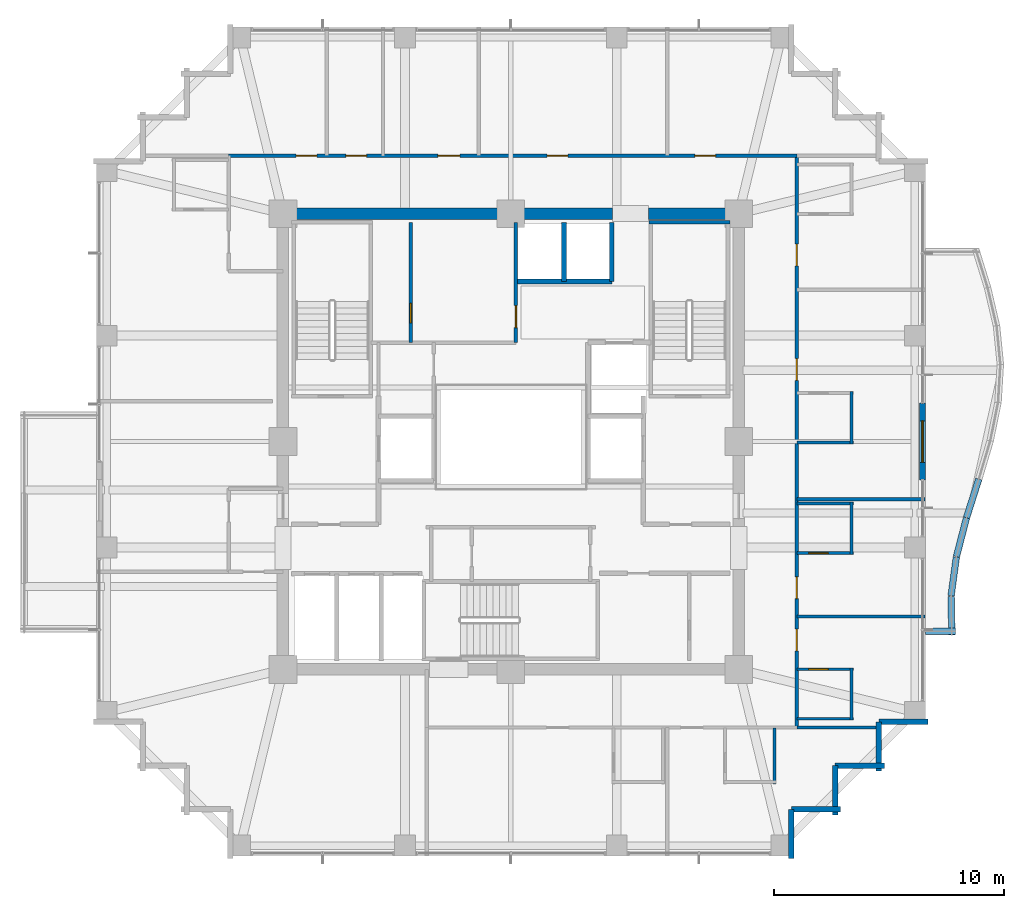
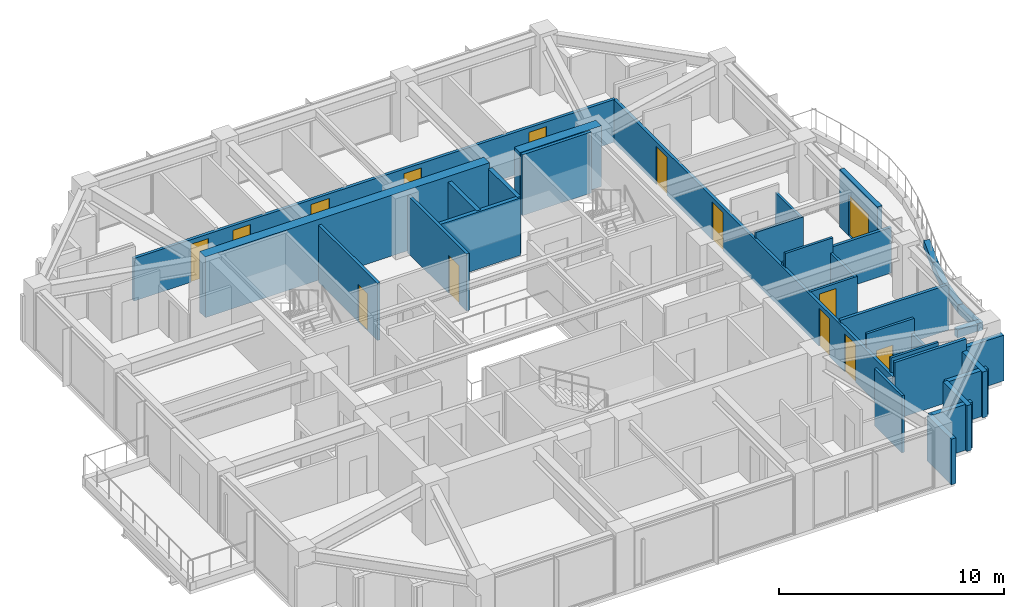
# One storey, part 29 of 32: 34 walls, 14 doors, 14 openings.
"""IFC4 building model written with IfcOpenShell, lengths in metres."""

from ifc_helpers import new_model, si_unit, direction, frame, frame_2d, origin, place, context, subcontext, project, spatial, rectangle, extrude, material, layer, layer_set, type_object, element, fill, save


model = new_model("IFC4")

# Units and contexts
model_context = context("Model", 3, precision=1e-05, world=origin(), true_north=direction((0.0, 1.0)))
body_context = subcontext(model_context, "Body", "Model", "MODEL_VIEW")
ifc_project = project(units=[si_unit("LENGTHUNIT", "METRE"), si_unit("AREAUNIT", "SQUARE_METRE"), si_unit("VOLUMEUNIT", "CUBIC_METRE"), si_unit("PLANEANGLEUNIT", "RADIAN"), si_unit("MASSUNIT", "GRAM", prefix="KILO")], contexts=[model_context])

# Site, building, storey
site_placement = place(None, origin())
site = spatial("IfcSite", under=ifc_project, at=site_placement, CompositionType="ELEMENT")
building_placement = place(site_placement, origin())
building = spatial("IfcBuilding", under=site, at=building_placement, Name="Kolvaren Belvedere", CompositionType="ELEMENT")
storey_placement = place(building_placement, frame((0.0, 0.0, 141.5)))
storey = spatial("IfcBuildingStorey", under=building, at=storey_placement, Name="L41", CompositionType="ELEMENT", Elevation=141.5)

# Walls
ifc_material_1 = material(Name="Concrete C50/60", Category="concrete")
ifc_layer_1 = layer(ifc_material_1, 0.5)
ifc_layer_set_1 = layer_set([ifc_layer_1], Name="Concrete C50/60")
wall_type_1 = type_object("IfcWallType", Name="CW-CORE-500", PredefinedType="SHEAR", material=ifc_layer_set_1)
wall_1_placement = place(storey_placement, frame((-10.14990234375, 9.89990234375, 0.0), z_axis=(0.0, 0.0, 1.0), x_axis=(1.0, 0.0, 0.0)))
element("IfcWall", 1, at=wall_1_placement, inside=storey, type_object=wall_type_1, Name="L41 North Core Shear Wall 1", PredefinedType="SHEAR", context=body_context, shape_type="SweptSolid", body=[
    extrude(rectangle(XDim=14.56982421875, YDim=0.5, at=frame_2d((7.284912109375, 0.0))), origin(), (0.0, 0.0, 1.0), 3.300048828125),
])
wall_2_placement = place(storey_placement, frame((5.97998046875, 9.89990234375, 0.0), z_axis=(0.0, 0.0, 1.0), x_axis=(1.0, 0.0, 0.0)))
element("IfcWall", 2, at=wall_2_placement, inside=storey, type_object=wall_type_1, Name="L41 North Core Shear Wall 2", PredefinedType="SHEAR", context=body_context, shape_type="SweptSolid", body=[
    extrude(rectangle(XDim=4.169921875, YDim=0.5, at=frame_2d((2.0849609375, 0.0))), origin(), (0.0, 0.0, 1.0), 3.300048828125),
])
ifc_material_2 = material(Name="Concrete C50/60", Category="concrete")
ifc_layer_2 = layer(ifc_material_2, 0.159912109375)
ifc_layer_set_2 = layer_set([ifc_layer_2], Name="Concrete C50/60")
wall_type_2 = type_object("IfcWallType", Name="CW-STAIR-160", PredefinedType="SHEAR", material=ifc_layer_set_2)
wall_3_placement = place(storey_placement, frame((6.0, 9.530029296875, 0.0), z_axis=(0.0, 0.0, 1.0), x_axis=(1.0, 0.0, 0.0)))
element("IfcWall", 3, at=wall_3_placement, inside=storey, type_object=wall_type_2, Name="L41 Stair ST-2 North Shear Wall", PredefinedType="SHEAR", context=body_context, shape_type="SweptSolid", body=[
    extrude(rectangle(XDim=3.52001953125, YDim=0.159912109375, at=frame_2d((1.760009765625, 0.0))), origin(), (0.0, 0.0, 1.0), 3.300048828125),
])

# Wall, openings, doors
ifc_material_3 = material(Name="Gypsum fire-rated partition assembly", Category="gypsum")
ifc_layer_3 = layer(ifc_material_3, 0.14990234375)
ifc_layer_set_3 = layer_set([ifc_layer_3], Name="Gypsum fire-rated partition assembly")
wall_type_3 = type_object("IfcWallType", Name="WL-CORR-150", PredefinedType="PARTITIONING", material=ifc_layer_set_3)
wall_4_placement = place(storey_placement, frame((-12.260009765625, 12.419921875, 0.0), z_axis=(0.0, 0.0, 1.0), x_axis=(1.0, 0.0, 0.0)))
wall_4 = element("IfcWall", 4, at=wall_4_placement, inside=storey, type_object=wall_type_3, Name="L41 North Corridor Wall", PredefinedType="PARTITIONING", context=body_context, shape_type="SweptSolid", body=[
    extrude(rectangle(XDim=24.679931640625, YDim=0.14990234375, at=frame_2d((12.33984375, 0.0))), origin(), (0.0, 0.0, 1.0), 2.31201171875),
])
opening_1_placement = place(wall_4_placement, frame((2.93017578125, 0.0, 0.0)))
opening_1 = element("IfcOpeningElement", 5, at=opening_1_placement, cuts=wall_4, Name="Opening D-INT90", PredefinedType="OPENING", context=body_context, shape_type="SweptSolid", body=[
    extrude(rectangle(XDim=0.89990234375, YDim=2.06005859375, at=frame_2d((0.449951171875, 1.030029296875))), frame((0.0, 0.0849609375, 0.0), z_axis=(0.0, -1.0, 0.0), x_axis=(1.0, 0.0, 0.0)), (0.0, 0.0, 1.0), 0.169921875),
])
opening_2_placement = place(wall_4_placement, frame((5.090087890625, 0.0, 0.0)))
opening_2 = element("IfcOpeningElement", 6, at=opening_2_placement, cuts=wall_4, Name="Opening D-INT90", PredefinedType="OPENING", context=body_context, shape_type="SweptSolid", body=[
    extrude(rectangle(XDim=0.89990234375, YDim=2.06005859375, at=frame_2d((0.449951171875, 1.030029296875))), frame((0.0, 0.0849609375, 0.0), z_axis=(0.0, -1.0, 0.0), x_axis=(1.0, 0.0, 0.0)), (0.0, 0.0, 1.0), 0.169921875),
])
opening_3_placement = place(wall_4_placement, frame((9.09228515625, 0.0, 0.0)))
opening_3 = element("IfcOpeningElement", 7, at=opening_3_placement, cuts=wall_4, Name="Opening D-INT95", PredefinedType="OPENING", context=body_context, shape_type="SweptSolid", body=[
    extrude(rectangle(XDim=0.949951171875, YDim=2.06005859375, at=frame_2d((0.47509765625, 1.030029296875))), frame((0.0, 0.0849609375, 0.0), z_axis=(0.0, -1.0, 0.0), x_axis=(1.0, 0.0, 0.0)), (0.0, 0.0, 1.0), 0.169921875),
])
opening_4_placement = place(wall_4_placement, frame((13.840087890625, 0.0, 0.0)))
opening_4 = element("IfcOpeningElement", 8, at=opening_4_placement, cuts=wall_4, Name="Opening D-INT90", PredefinedType="OPENING", context=body_context, shape_type="SweptSolid", body=[
    extrude(rectangle(XDim=0.89990234375, YDim=2.06005859375, at=frame_2d((0.449951171875, 1.030029296875))), frame((0.0, 0.0849609375, 0.0), z_axis=(0.0, -1.0, 0.0), x_axis=(1.0, 0.0, 0.0)), (0.0, 0.0, 1.0), 0.169921875),
])
opening_5_placement = place(wall_4_placement, frame((20.255615234375, 0.0, 0.0)))
opening_5 = element("IfcOpeningElement", 9, at=opening_5_placement, cuts=wall_4, Name="Opening D-INT90", PredefinedType="OPENING", context=body_context, shape_type="SweptSolid", body=[
    extrude(rectangle(XDim=0.89990234375, YDim=2.06005859375, at=frame_2d((0.449951171875, 1.030029296875))), frame((0.0, 0.0849609375, 0.0), z_axis=(0.0, -1.0, 0.0), x_axis=(1.0, 0.0, 0.0)), (0.0, 0.0, 1.0), 0.169921875),
])
ifc_material_4 = material(Name="Stained Pacific white oak", Category="timber")
door_type_1 = type_object("IfcDoorType", Name="DR-INT-900", OperationType="NOTDEFINED", PredefinedType="DOOR", material=ifc_material_4)
door_1_placement = place(opening_1_placement, origin())
door_1 = element("IfcDoor", 10, at=door_1_placement, inside=storey, type_object=door_type_1, Name="L41 Guest Tea & Espresso Kitchen 4101 Door", OperationType="SINGLE_SWING_LEFT", OverallHeight=2.06005859375, OverallWidth=0.89990234375, PredefinedType="DOOR", context=body_context, shape_type="SweptSolid", body=[
    extrude(rectangle(XDim=0.89990234375, YDim=2.06005859375, at=frame_2d((0.449951171875, 1.030029296875))), frame((0.0, 0.02490234375, 0.0), z_axis=(0.0, -1.0, 0.0), x_axis=(1.0, 0.0, 0.0)), (0.0, 0.0, 1.0), 0.050048828125),
])
fill(opening_1, door_1)
door_2_placement = place(opening_2_placement, origin())
door_2 = element("IfcDoor", 11, at=door_2_placement, inside=storey, type_object=door_type_1, Name="L41 Housekeeping Door", OperationType="SINGLE_SWING_RIGHT", OverallHeight=2.06005859375, OverallWidth=0.89990234375, PredefinedType="DOOR", context=body_context, shape_type="SweptSolid", body=[
    extrude(rectangle(XDim=0.89990234375, YDim=2.06005859375, at=frame_2d((0.449951171875, 1.030029296875))), frame((0.0, 0.02490234375, 0.0), z_axis=(0.0, -1.0, 0.0), x_axis=(1.0, 0.0, 0.0)), (0.0, 0.0, 1.0), 0.050048828125),
])
fill(opening_2, door_2)
door_3_placement = place(opening_4_placement, origin())
door_3 = element("IfcDoor", 12, at=door_3_placement, inside=storey, type_object=door_type_1, Name="L41 Private Hospitality Meeting Room 4102 Door", OperationType="SINGLE_SWING_RIGHT", OverallHeight=2.06005859375, OverallWidth=0.89990234375, PredefinedType="DOOR", context=body_context, shape_type="SweptSolid", body=[
    extrude(rectangle(XDim=0.89990234375, YDim=2.06005859375, at=frame_2d((0.449951171875, 1.030029296875))), frame((0.0, 0.02490234375, 0.0), z_axis=(0.0, -1.0, 0.0), x_axis=(1.0, 0.0, 0.0)), (0.0, 0.0, 1.0), 0.050048828125),
])
fill(opening_4, door_3)
door_4_placement = place(opening_5_placement, origin())
door_4 = element("IfcDoor", 13, at=door_4_placement, inside=storey, type_object=door_type_1, Name="L41 Botanical Reading Salon 4103 Door", OperationType="SINGLE_SWING_LEFT", OverallHeight=2.06005859375, OverallWidth=0.89990234375, PredefinedType="DOOR", context=body_context, shape_type="SweptSolid", body=[
    extrude(rectangle(XDim=0.89990234375, YDim=2.06005859375, at=frame_2d((0.449951171875, 1.030029296875))), frame((0.0, 0.02490234375, 0.0), z_axis=(0.0, -1.0, 0.0), x_axis=(1.0, 0.0, 0.0)), (0.0, 0.0, 1.0), 0.050048828125),
])
fill(opening_5, door_4)
ifc_material_5 = material(Name="Stained Pacific white oak", Category="timber")
door_type_2 = type_object("IfcDoorType", Name="DR-INT-950", OperationType="NOTDEFINED", PredefinedType="DOOR", material=ifc_material_5)
door_5_placement = place(opening_3_placement, origin())
door_5 = element("IfcDoor", 14, at=door_5_placement, inside=storey, type_object=door_type_2, Name="L41 Accessible Washroom Door", OperationType="SINGLE_SWING_LEFT", OverallHeight=2.06005859375, OverallWidth=0.949951171875, PredefinedType="DOOR", context=body_context, shape_type="SweptSolid", body=[
    extrude(rectangle(XDim=0.949951171875, YDim=2.06005859375, at=frame_2d((0.47509765625, 1.030029296875))), frame((0.0, 0.02490234375, 0.0), z_axis=(0.0, -1.0, 0.0), x_axis=(1.0, 0.0, 0.0)), (0.0, 0.0, 1.0), 0.050048828125),
])
fill(opening_3, door_5)

wall_5_placement = place(storey_placement, frame((12.419921875, -12.419921875, 0.0), z_axis=(0.0, 0.0, 1.0), x_axis=(0.0, 1.0, 0.0)))
wall_5 = element("IfcWall", 15, at=wall_5_placement, inside=storey, type_object=wall_type_3, Name="L41 East Corridor Wall", PredefinedType="PARTITIONING", context=body_context, shape_type="SweptSolid", body=[
    extrude(rectangle(XDim=24.83984375, YDim=0.14990234375, at=frame_2d((12.419921875, 0.0))), origin(), (0.0, 0.0, 1.0), 2.31201171875),
])
opening_6_placement = place(wall_5_placement, frame((3.322509765625, 0.0, 0.0)))
opening_6 = element("IfcOpeningElement", 16, at=opening_6_placement, cuts=wall_5, Name="Opening D-FD60", PredefinedType="OPENING", context=body_context, shape_type="SweptSolid", body=[
    extrude(rectangle(XDim=0.949951171875, YDim=2.06005859375, at=frame_2d((0.47509765625, 1.030029296875))), frame((0.0, 0.0849609375, 0.0), z_axis=(0.0, -1.0, 0.0), x_axis=(1.0, 0.0, 0.0)), (0.0, 0.0, 1.0), 0.169921875),
])
opening_7_placement = place(wall_5_placement, frame((5.593017578125, 0.0, 0.0)))
opening_7 = element("IfcOpeningElement", 17, at=opening_7_placement, cuts=wall_5, Name="Opening D-FD60", PredefinedType="OPENING", context=body_context, shape_type="SweptSolid", body=[
    extrude(rectangle(XDim=0.949951171875, YDim=2.06005859375, at=frame_2d((0.47509765625, 1.030029296875))), frame((0.0, 0.0849609375, 0.0), z_axis=(0.0, -1.0, 0.0), x_axis=(1.0, 0.0, 0.0)), (0.0, 0.0, 1.0), 0.169921875),
])
opening_8_placement = place(wall_5_placement, frame((15.072509765625, 0.0, 0.0)))
opening_8 = element("IfcOpeningElement", 18, at=opening_8_placement, cuts=wall_5, Name="Opening D-FD60", PredefinedType="OPENING", context=body_context, shape_type="SweptSolid", body=[
    extrude(rectangle(XDim=0.949951171875, YDim=2.06005859375, at=frame_2d((0.47509765625, 1.030029296875))), frame((0.0, 0.0849609375, 0.0), z_axis=(0.0, -1.0, 0.0), x_axis=(1.0, 0.0, 0.0)), (0.0, 0.0, 1.0), 0.169921875),
])
opening_9_placement = place(wall_5_placement, frame((20.0498046875, 0.0, 0.0)))
opening_9 = element("IfcOpeningElement", 19, at=opening_9_placement, cuts=wall_5, Name="Opening D-FD60", PredefinedType="OPENING", context=body_context, shape_type="SweptSolid", body=[
    extrude(rectangle(XDim=0.949951171875, YDim=2.06005859375, at=frame_2d((0.47509765625, 1.030029296875))), frame((0.0, 0.0849609375, 0.0), z_axis=(0.0, -1.0, 0.0), x_axis=(1.0, 0.0, 0.0)), (0.0, 0.0, 1.0), 0.169921875),
])
ifc_material_6 = material(Name="Acoustic white-oak fire door leaf", Category="timber")
door_type_3 = type_object("IfcDoorType", Name="DR-FD60-950", OperationType="NOTDEFINED", PredefinedType="DOOR", material=ifc_material_6)
door_6_placement = place(opening_6_placement, origin())
door_6 = element("IfcDoor", 20, at=door_6_placement, inside=storey, type_object=door_type_3, Name="L41 Deluxe King Guest Room 4104 Entry Door", OperationType="SINGLE_SWING_LEFT", OverallHeight=2.06005859375, OverallWidth=0.949951171875, PredefinedType="DOOR", context=body_context, shape_type="SweptSolid", body=[
    extrude(rectangle(XDim=0.949951171875, YDim=2.06005859375, at=frame_2d((0.47509765625, 1.030029296875))), frame((0.0, 0.02490234375, 0.0), z_axis=(0.0, -1.0, 0.0), x_axis=(1.0, 0.0, 0.0)), (0.0, 0.0, 1.0), 0.050048828125),
])
fill(opening_6, door_6)
door_7_placement = place(opening_7_placement, origin())
door_7 = element("IfcDoor", 21, at=door_7_placement, inside=storey, type_object=door_type_3, Name="L41 Twin Guest Room 4105 Entry Door", OperationType="SINGLE_SWING_LEFT", OverallHeight=2.06005859375, OverallWidth=0.949951171875, PredefinedType="DOOR", context=body_context, shape_type="SweptSolid", body=[
    extrude(rectangle(XDim=0.949951171875, YDim=2.06005859375, at=frame_2d((0.47509765625, 1.030029296875))), frame((0.0, 0.02490234375, 0.0), z_axis=(0.0, -1.0, 0.0), x_axis=(1.0, 0.0, 0.0)), (0.0, 0.0, 1.0), 0.050048828125),
])
fill(opening_7, door_7)
door_8_placement = place(opening_8_placement, origin())
door_8 = element("IfcDoor", 22, at=door_8_placement, inside=storey, type_object=door_type_3, Name="L41 Deluxe King Guest Room 4106 Entry Door", OperationType="SINGLE_SWING_LEFT", OverallHeight=2.06005859375, OverallWidth=0.949951171875, PredefinedType="DOOR", context=body_context, shape_type="SweptSolid", body=[
    extrude(rectangle(XDim=0.949951171875, YDim=2.06005859375, at=frame_2d((0.47509765625, 1.030029296875))), frame((0.0, 0.02490234375, 0.0), z_axis=(0.0, -1.0, 0.0), x_axis=(1.0, 0.0, 0.0)), (0.0, 0.0, 1.0), 0.050048828125),
])
fill(opening_8, door_8)
door_9_placement = place(opening_9_placement, origin())
door_9 = element("IfcDoor", 23, at=door_9_placement, inside=storey, type_object=door_type_3, Name="L41 Twin Guest Room 4107 Entry Door", OperationType="SINGLE_SWING_LEFT", OverallHeight=2.06005859375, OverallWidth=0.949951171875, PredefinedType="DOOR", context=body_context, shape_type="SweptSolid", body=[
    extrude(rectangle(XDim=0.949951171875, YDim=2.06005859375, at=frame_2d((0.47509765625, 1.030029296875))), frame((0.0, 0.02490234375, 0.0), z_axis=(0.0, -1.0, 0.0), x_axis=(1.0, 0.0, 0.0)), (0.0, 0.0, 1.0), 0.050048828125),
])
fill(opening_9, door_9)

# Walls
ifc_material_7 = material(Name="Insulated pale-metal facade wall assembly", Category="aluminium")
ifc_layer_4 = layer(ifc_material_7, 0.239990234375)
ifc_layer_set_4 = layer_set([ifc_layer_4], Name="Insulated pale-metal facade wall assembly")
wall_type_4 = type_object("IfcWallType", Name="WL-EXT-240", PredefinedType="STANDARD", material=ifc_layer_set_4)
for number, where, z_axis, x_axis, name in (
    (24, (12.179931640625, -15.97998046875, 0.0), (0.0, 0.0, 1.0), (0.0, -1.0, 0.0), "L41 Serrated Corner Facade Wall 2"),
    (25, (14.320068359375, -15.97998046875, 0.0), (0.0, 0.0, 1.0), (-1.0, 0.0, 0.0), "L41 Serrated Corner Facade Wall 3"),
):
    element("IfcWall", number, at=place(storey_placement, frame(where, z_axis=z_axis, x_axis=x_axis)), inside=storey, type_object=wall_type_4, Name=name, PredefinedType="STANDARD", context=body_context, shape_type="SweptSolid", body=[
        extrude(rectangle(XDim=2.14013671875, YDim=0.239990234375, at=frame_2d((1.070068359375, 0.0))), origin(), (0.0, 0.0, 1.0), 2.47900390625),
    ])
for number, where, z_axis, x_axis, name in (
    (26, (14.080078125, -14.080078125, 0.0), (0.0, 0.0, 1.0), (0.0, -1.0, 0.0), "L41 Serrated Corner Facade Wall 4"),
    (27, (16.219970703125, -14.080078125, 0.0), (0.0, 0.0, 1.0), (-1.0, 0.0, 0.0), "L41 Serrated Corner Facade Wall 5"),
):
    element("IfcWall", number, at=place(storey_placement, frame(where, z_axis=z_axis, x_axis=x_axis)), inside=storey, type_object=wall_type_4, Name=name, PredefinedType="STANDARD", context=body_context, shape_type="SweptSolid", body=[
        extrude(rectangle(XDim=2.139892578125, YDim=0.239990234375, at=frame_2d((1.06982421875, 0.0))), origin(), (0.0, 0.0, 1.0), 2.47900390625),
    ])
for number, where, z_axis, x_axis, name in (
    (28, (15.97998046875, -12.179931640625, 0.0), (0.0, 0.0, 1.0), (0.0, -1.0, 0.0), "L41 Serrated Corner Facade Wall 6"),
    (29, (18.1201171875, -12.179931640625, 0.0), (0.0, 0.0, 1.0), (-1.0, 0.0, 0.0), "L41 Serrated Corner Facade Wall 7"),
):
    element("IfcWall", number, at=place(storey_placement, frame(where, z_axis=z_axis, x_axis=x_axis)), inside=storey, type_object=wall_type_4, Name=name, PredefinedType="STANDARD", context=body_context, shape_type="SweptSolid", body=[
        extrude(rectangle(XDim=2.14013671875, YDim=0.239990234375, at=frame_2d((1.070068359375, 0.0))), origin(), (0.0, 0.0, 1.0), 2.47900390625),
    ])

# Wall, opening, door
wall_6_placement = place(storey_placement, frame((17.8798828125, 1.679931640625, 0.0), z_axis=(0.0, 0.0, 1.0), x_axis=(0.0, -1.0, 0.0)))
wall_6 = element("IfcWall", 30, at=wall_6_placement, inside=storey, type_object=wall_type_4, Name="L41 East Terrace Portal Wall", PredefinedType="STANDARD", context=body_context, shape_type="SweptSolid", body=[
    extrude(rectangle(XDim=3.35986328125, YDim=0.239990234375, at=frame_2d((1.679931640625, 0.0))), origin(), (0.0, 0.0, 1.0), 3.10009765625),
])
opening_10_placement = place(wall_6_placement, frame((0.780029296875, 0.0, 0.0)))
opening_10 = element("IfcOpeningElement", 31, at=opening_10_placement, cuts=wall_6, Name="Opening DB-1800", PredefinedType="OPENING", context=body_context, shape_type="SweptSolid", body=[
    extrude(rectangle(XDim=1.800048828125, YDim=2.199951171875, at=frame_2d((0.89990234375, 1.10009765625))), frame((0.0, 0.1298828125, 0.0), z_axis=(0.0, -1.0, 0.0), x_axis=(1.0, 0.0, 0.0)), (0.0, 0.0, 1.0), 0.260009765625),
])
ifc_material_8 = material(Name="Thermally broken pale-metal aluminium & low-iron glass", Category="aluminium")
door_type_4 = type_object("IfcDoorType", Name="DR-BAL-1800", OperationType="DOUBLE_DOOR_SLIDING", PredefinedType="DOOR", material=ifc_material_8)
door_10_placement = place(opening_10_placement, origin())
door_10 = element("IfcDoor", 32, at=door_10_placement, inside=storey, type_object=door_type_4, Name="L41 East Planted Terrace Sliding Door", OperationType="DOUBLE_DOOR_SLIDING", OverallHeight=2.199951171875, OverallWidth=1.800048828125, PredefinedType="DOOR", context=body_context, shape_type="SweptSolid", body=[
    extrude(rectangle(XDim=1.800048828125, YDim=2.199951171875, at=frame_2d((0.89990234375, 1.10009765625))), frame((0.0, 0.02490234375, 0.0), z_axis=(0.0, -1.0, 0.0), x_axis=(1.0, 0.0, 0.0)), (0.0, 0.0, 1.0), 0.050048828125),
])
fill(opening_10, door_10)

ifc_material_9 = material(Name="Gypsum acoustic partition assembly", Category="gypsum")
ifc_layer_5 = layer(ifc_material_9, 0.14990234375)
ifc_layer_set_5 = layer_set([ifc_layer_5], Name="Gypsum acoustic partition assembly")
wall_type_5 = type_object("IfcWallType", Name="WL-PART-150", PredefinedType="PARTITIONING", material=ifc_layer_set_5)
wall_7_placement = place(storey_placement, frame((0.219970703125, 4.300048828125, 0.0), z_axis=(0.0, 0.0, 1.0), x_axis=(0.0, 1.0, 0.0)))
wall_7 = element("IfcWall", 33, at=wall_7_placement, inside=storey, type_object=wall_type_5, Name="L41 Reclaimed Salon East Wall", PredefinedType="PARTITIONING", context=body_context, shape_type="SweptSolid", body=[
    extrude(rectangle(XDim=5.219970703125, YDim=0.14990234375, at=frame_2d((2.60986328125, 0.0))), origin(), (0.0, 0.0, 1.0), 3.10009765625),
])
opening_11_placement = place(wall_7_placement, frame((0.64990234375, 0.0, 0.0)))
opening_11 = element("IfcOpeningElement", 34, at=opening_11_placement, cuts=wall_7, Name="Opening D-INT95", PredefinedType="OPENING", context=body_context, shape_type="SweptSolid", body=[
    extrude(rectangle(XDim=0.949951171875, YDim=2.06005859375, at=frame_2d((0.47509765625, 1.030029296875))), frame((0.0, 0.0849609375, 0.0), z_axis=(0.0, -1.0, 0.0), x_axis=(1.0, 0.0, 0.0)), (0.0, 0.0, 1.0), 0.169921875),
])
door_11_placement = place(opening_11_placement, origin())
door_11 = element("IfcDoor", 35, at=door_11_placement, inside=storey, type_object=door_type_2, Name="L41 Art Salon Door", OperationType="SINGLE_SWING_LEFT", OverallHeight=2.06005859375, OverallWidth=0.949951171875, PredefinedType="DOOR", context=body_context, shape_type="SweptSolid", body=[
    extrude(rectangle(XDim=0.949951171875, YDim=2.06005859375, at=frame_2d((0.47509765625, 1.030029296875))), frame((0.0, 0.02490234375, 0.0), z_axis=(0.0, -1.0, 0.0), x_axis=(1.0, 0.0, 0.0)), (0.0, 0.0, 1.0), 0.050048828125),
])
fill(opening_11, door_11)

wall_8_placement = place(storey_placement, frame((-4.35009765625, 4.300048828125, 0.0), z_axis=(0.0, 0.0, 1.0), x_axis=(0.0, 1.0, 0.0)))
wall_8 = element("IfcWall", 36, at=wall_8_placement, inside=storey, type_object=wall_type_5, Name="L41 Reclaimed Archive Divider", PredefinedType="PARTITIONING", context=body_context, shape_type="SweptSolid", body=[
    extrude(rectangle(XDim=5.219970703125, YDim=0.14990234375, at=frame_2d((2.60986328125, 0.0))), origin(), (0.0, 0.0, 1.0), 3.10009765625),
])
opening_12_placement = place(wall_8_placement, frame((0.85009765625, 0.0, 0.0)))
opening_12 = element("IfcOpeningElement", 37, at=opening_12_placement, cuts=wall_8, Name="Opening D-INT85", PredefinedType="OPENING", context=body_context, shape_type="SweptSolid", body=[
    extrude(rectangle(XDim=0.85009765625, YDim=2.030029296875, at=frame_2d((0.425048828125, 1.01513671875))), frame((0.0, 0.0849609375, 0.0), z_axis=(0.0, -1.0, 0.0), x_axis=(1.0, 0.0, 0.0)), (0.0, 0.0, 1.0), 0.169921875),
])
ifc_material_10 = material(Name="Stained Pacific white oak", Category="timber")
door_type_5 = type_object("IfcDoorType", Name="DR-INT-850", OperationType="NOTDEFINED", PredefinedType="DOOR", material=ifc_material_10)
door_12_placement = place(opening_12_placement, origin())
door_12 = element("IfcDoor", 38, at=door_12_placement, inside=storey, type_object=door_type_5, Name="L41 Archive Store Door", OperationType="SINGLE_SWING_RIGHT", OverallHeight=2.030029296875, OverallWidth=0.85009765625, PredefinedType="DOOR", context=body_context, shape_type="SweptSolid", body=[
    extrude(rectangle(XDim=0.85009765625, YDim=2.030029296875, at=frame_2d((0.425048828125, 1.01513671875))), frame((0.0, 0.02490234375, 0.0), z_axis=(0.0, -1.0, 0.0), x_axis=(1.0, 0.0, 0.0)), (0.0, 0.0, 1.0), 0.050048828125),
])
fill(opening_12, door_12)

# Walls
wall_9_placement = place(storey_placement, frame((12.419921875, -12.419921875, 0.0), z_axis=(0.0, 0.0, 1.0), x_axis=(1.0, 0.0, 0.0)))
element("IfcWall", 39, at=wall_9_placement, inside=storey, type_object=wall_type_5, Name="L41 Wing Divider PW-L41-QSE", PredefinedType="PARTITIONING", context=body_context, shape_type="SweptSolid", body=[
    extrude(rectangle(XDim=3.66015625, YDim=0.14990234375, at=frame_2d((1.830078125, 0.0))), origin(), (0.0, 0.0, 1.0), 3.10009765625),
])
for number, where, z_axis, x_axis, name in (
    (40, (12.419921875, -7.60009765625, 0.0), (0.0, 0.0, 1.0), (1.0, 0.0, 0.0), "L41 East Suite Demising Wall 1"),
    (41, (12.419921875, -2.5, 0.0), (0.0, 0.0, 1.0), (1.0, 0.0, 0.0), "L41 East Suite Demising Wall 2"),
):
    element("IfcWall", number, at=place(storey_placement, frame(where, z_axis=z_axis, x_axis=x_axis)), inside=storey, type_object=wall_type_5, Name=name, PredefinedType="PARTITIONING", context=body_context, shape_type="SweptSolid", body=[
        extrude(rectangle(XDim=5.56005859375, YDim=0.14990234375, at=frame_2d((2.780029296875, 0.0))), origin(), (0.0, 0.0, 1.0), 2.468994140625),
    ])
ifc_material_11 = material(Name="Precast concrete C40/50", Category="concrete")
ifc_layer_6 = layer(ifc_material_11, 0.300048828125)
ifc_layer_set_6 = layer_set([ifc_layer_6], Name="Precast concrete C40/50")
wall_type_6 = type_object("IfcWallType", Name="WL-PLANTER-300", PredefinedType="PARAPET", material=ifc_layer_set_6)
wall_10_placement = place(storey_placement, frame((19.15283203125, -8.4033203125, -0.02001953125), z_axis=(0.0, 0.0, 1.0), x_axis=(-0.020048280122, 0.999799013034, 0.0)))
element("IfcWall", 42, at=wall_10_placement, inside=storey, type_object=wall_type_6, Name="L41 Precast Structural Planter Wall BAL-E-1", PredefinedType="PARAPET", context=body_context, shape_type="SweptSolid", body=[
    extrude(rectangle(XDim=1.680419921875, YDim=0.280029296875, at=frame_2d((0.84033203125, 0.0))), origin(), (0.0, 0.0, 1.0), 0.419921875),
])
wall_11_placement = place(storey_placement, frame((19.12060546875, -6.698486328125, -0.02001953125), z_axis=(0.0, 0.0, 1.0), x_axis=(0.134907602079, 0.990858183042, 0.0)))
element("IfcWall", 43, at=wall_11_placement, inside=storey, type_object=wall_type_6, Name="L41 Precast Structural Planter Wall BAL-E-2", PredefinedType="PARAPET", context=body_context, shape_type="SweptSolid", body=[
    extrude(rectangle(XDim=1.695556640625, YDim=0.280029296875, at=frame_2d((0.84765625, 0.0))), origin(), (0.0, 0.0, 1.0), 0.419921875),
])
wall_12_placement = place(storey_placement, frame((19.352783203125, -5.0, -0.02001953125), z_axis=(0.0, 0.0, 1.0), x_axis=(0.250537405469, 0.968106919953, 0.0)))
element("IfcWall", 44, at=wall_12_placement, inside=storey, type_object=wall_type_6, Name="L41 Precast Structural Planter Wall BAL-E-3", PredefinedType="PARAPET", context=body_context, shape_type="SweptSolid", body=[
    extrude(rectangle(XDim=1.735595703125, YDim=0.280029296875, at=frame_2d((0.86767578125, 0.0))), origin(), (0.0, 0.0, 1.0), 0.419921875),
])
wall_13_placement = place(storey_placement, frame((19.789794921875, -3.3115234375, -0.02001953125), z_axis=(0.0, 0.0, 1.0), x_axis=(0.302523204768, 0.953142020151, 0.0)))
element("IfcWall", 45, at=wall_13_placement, inside=storey, type_object=wall_type_6, Name="L41 Precast Structural Planter Wall BAL-E-4", PredefinedType="PARAPET", context=body_context, shape_type="SweptSolid", body=[
    extrude(rectangle(XDim=1.762451171875, YDim=0.280029296875, at=frame_2d((0.88134765625, 0.0))), origin(), (0.0, 0.0, 1.0), 0.419921875),
])
wall_14_placement = place(storey_placement, frame((18.0, -8.239990234375, -0.02001953125), z_axis=(0.0, 0.0, 1.0), x_axis=(1.0, 0.0, 0.0)))
element("IfcWall", 46, at=wall_14_placement, inside=storey, type_object=wall_type_6, Name="L41 Precast Structural Planter Wall BAL-E-22", PredefinedType="PARAPET", context=body_context, shape_type="SweptSolid", body=[
    extrude(rectangle(XDim=1.31298828125, YDim=0.280029296875, at=frame_2d((0.656494140625, 0.0))), origin(), (0.0, 0.0, 1.0), 0.419921875),
])
ifc_material_12 = material(Name="Concrete C50/60", Category="concrete")
ifc_layer_7 = layer(ifc_material_12, 0.199951171875)
ifc_layer_set_7 = layer_set([ifc_layer_7], Name="Concrete C50/60")
wall_type_7 = type_object("IfcWallType", Name="WL-SHAFT-200", PredefinedType="SOLIDWALL", material=ifc_layer_set_7)
wall_15_placement = place(storey_placement, frame((0.219970703125, 6.949951171875, 0.0), z_axis=(0.0, 0.0, 1.0), x_axis=(1.0, 0.0, 0.0)))
element("IfcWall", 47, at=wall_15_placement, inside=storey, type_object=wall_type_7, Name="L41 Express Shuttle Hoistway Wall", PredefinedType="SOLIDWALL", context=body_context, shape_type="SweptSolid", body=[
    extrude(rectangle(XDim=4.179931640625, YDim=0.199951171875, at=frame_2d((2.08984375, 0.0))), origin(), (0.0, 0.0, 1.0), 3.10009765625),
])
for number, where, z_axis, x_axis, name in (
    (48, (4.3798828125, 6.949951171875, 0.0), (0.0, 0.0, 1.0), (0.0, 1.0, 0.0), "L41 Express Shuttle East Wall"),
    (49, (2.31005859375, 6.949951171875, 0.0), (0.0, 0.0, 1.0), (0.0, 1.0, 0.0), "L41 Express Shuttle Divider"),
):
    element("IfcWall", number, at=place(storey_placement, frame(where, z_axis=z_axis, x_axis=x_axis)), inside=storey, type_object=wall_type_7, Name=name, PredefinedType="SOLIDWALL", context=body_context, shape_type="SweptSolid", body=[
        extrude(rectangle(XDim=2.570068359375, YDim=0.199951171875, at=frame_2d((1.28515625, 0.0))), origin(), (0.0, 0.0, 1.0), 3.10009765625),
    ])

# Wall, opening, door
ifc_material_13 = material(Name="Moisture-resistant gypsum partition", Category="gypsum")
ifc_layer_8 = layer(ifc_material_13, 0.125)
ifc_layer_set_8 = layer_set([ifc_layer_8], Name="Moisture-resistant gypsum partition")
wall_type_8 = type_object("IfcWallType", Name="WL-WET-125", PredefinedType="PARTITIONING", material=ifc_layer_set_8)
wall_16_placement = place(storey_placement, frame((12.43505859375, -9.89111328125, 0.0), z_axis=(0.0, 0.0, 1.0), x_axis=(1.0, 0.0, 0.0)))
wall_16 = element("IfcWall", 50, at=wall_16_placement, inside=storey, type_object=wall_type_8, Name="L41 Bathroom Partition PW-L41-BTH-4-N", PredefinedType="PARTITIONING", context=body_context, shape_type="SweptSolid", body=[
    extrude(rectangle(XDim=2.43994140625, YDim=0.125, at=frame_2d((1.219970703125, 0.0))), origin(), (0.0, 0.0, 1.0), 3.10009765625),
])
opening_13_placement = place(wall_16_placement, frame((0.5, 0.0, 0.0)))
opening_13 = element("IfcOpeningElement", 51, at=opening_13_placement, cuts=wall_16, Name="Opening D-BTH85", PredefinedType="OPENING", context=body_context, shape_type="SweptSolid", body=[
    extrude(rectangle(XDim=0.85009765625, YDim=2.030029296875, at=frame_2d((0.425048828125, 1.01513671875))), frame((0.0, 0.072509765625, 0.0), z_axis=(0.0, -1.0, 0.0), x_axis=(1.0, 0.0, 0.0)), (0.0, 0.0, 1.0), 0.14501953125),
])
ifc_material_14 = material(Name="Moisture-sealed Pacific white oak", Category="timber")
door_type_6 = type_object("IfcDoorType", Name="DR-BATH-850", OperationType="NOTDEFINED", PredefinedType="DOOR", material=ifc_material_14)
door_13_placement = place(opening_13_placement, origin())
door_13 = element("IfcDoor", 52, at=door_13_placement, inside=storey, type_object=door_type_6, Name="L41 En-Suite Bathroom 4104 Door", OperationType="SINGLE_SWING_RIGHT", OverallHeight=2.030029296875, OverallWidth=0.85009765625, PredefinedType="DOOR", context=body_context, shape_type="SweptSolid", body=[
    extrude(rectangle(XDim=0.85009765625, YDim=2.030029296875, at=frame_2d((0.425048828125, 1.01513671875))), frame((0.0, 0.02490234375, 0.0), z_axis=(0.0, -1.0, 0.0), x_axis=(1.0, 0.0, 0.0)), (0.0, 0.0, 1.0), 0.050048828125),
])
fill(opening_13, door_13)

# Walls
wall_17_placement = place(storey_placement, frame((14.794921875, -12.10107421875, 0.0), z_axis=(0.0, 0.0, 1.0), x_axis=(0.0, 1.0, 0.0)))
element("IfcWall", 53, at=wall_17_placement, inside=storey, type_object=wall_type_8, Name="L41 Bathroom Partition PW-L41-BTH-4-V", PredefinedType="PARTITIONING", context=body_context, shape_type="SweptSolid", body=[
    extrude(rectangle(XDim=2.27001953125, YDim=0.125, at=frame_2d((1.135009765625, 0.0))), origin(), (0.0, 0.0, 1.0), 2.31201171875),
])
wall_18_placement = place(storey_placement, frame((12.43505859375, -12.041015625, 0.0), z_axis=(0.0, 0.0, 1.0), x_axis=(1.0, 0.0, 0.0)))
element("IfcWall", 54, at=wall_18_placement, inside=storey, type_object=wall_type_8, Name="L41 Bathroom Partition PW-L41-BTH-4-S", PredefinedType="PARTITIONING", context=body_context, shape_type="SweptSolid", body=[
    extrude(rectangle(XDim=2.43994140625, YDim=0.125, at=frame_2d((1.219970703125, 0.0))), origin(), (0.0, 0.0, 1.0), 3.10009765625),
])

# Wall, opening, door
wall_19_placement = place(storey_placement, frame((12.43505859375, -4.844970703125, 0.0), z_axis=(0.0, 0.0, 1.0), x_axis=(1.0, 0.0, 0.0)))
wall_19 = element("IfcWall", 55, at=wall_19_placement, inside=storey, type_object=wall_type_8, Name="L41 Bathroom Partition PW-L41-BTH-5-N", PredefinedType="PARTITIONING", context=body_context, shape_type="SweptSolid", body=[
    extrude(rectangle(XDim=2.43994140625, YDim=0.125, at=frame_2d((1.219970703125, 0.0))), origin(), (0.0, 0.0, 1.0), 2.31201171875),
])
opening_14_placement = place(wall_19_placement, frame((0.5, 0.0, 0.0)))
opening_14 = element("IfcOpeningElement", 56, at=opening_14_placement, cuts=wall_19, Name="Opening D-BTH85", PredefinedType="OPENING", context=body_context, shape_type="SweptSolid", body=[
    extrude(rectangle(XDim=0.85009765625, YDim=2.030029296875, at=frame_2d((0.425048828125, 1.01513671875))), frame((0.0, 0.072509765625, 0.0), z_axis=(0.0, -1.0, 0.0), x_axis=(1.0, 0.0, 0.0)), (0.0, 0.0, 1.0), 0.14501953125),
])
door_14_placement = place(opening_14_placement, origin())
door_14 = element("IfcDoor", 57, at=door_14_placement, inside=storey, type_object=door_type_6, Name="L41 En-Suite Bathroom 4105 Door", OperationType="SINGLE_SWING_RIGHT", OverallHeight=2.030029296875, OverallWidth=0.85009765625, PredefinedType="DOOR", context=body_context, shape_type="SweptSolid", body=[
    extrude(rectangle(XDim=0.85009765625, YDim=2.030029296875, at=frame_2d((0.425048828125, 1.01513671875))), frame((0.0, 0.02490234375, 0.0), z_axis=(0.0, -1.0, 0.0), x_axis=(1.0, 0.0, 0.0)), (0.0, 0.0, 1.0), 0.050048828125),
])
fill(opening_14, door_14)

# Walls
wall_20_placement = place(storey_placement, frame((14.794921875, -4.905029296875, 0.0), z_axis=(0.0, 0.0, 1.0), x_axis=(0.0, 1.0, 0.0)))
element("IfcWall", 58, at=wall_20_placement, inside=storey, type_object=wall_type_8, Name="L41 Bathroom Partition PW-L41-BTH-5-V", PredefinedType="PARTITIONING", context=body_context, shape_type="SweptSolid", body=[
    extrude(rectangle(XDim=2.27001953125, YDim=0.125, at=frame_2d((1.135009765625, 0.0))), origin(), (0.0, 0.0, 1.0), 2.31201171875),
])
wall_21_placement = place(storey_placement, frame((12.43505859375, -2.695068359375, 0.0), z_axis=(0.0, 0.0, 1.0), x_axis=(1.0, 0.0, 0.0)))
element("IfcWall", 59, at=wall_21_placement, inside=storey, type_object=wall_type_8, Name="L41 Bathroom Partition PW-L41-BTH-5-S", PredefinedType="PARTITIONING", context=body_context, shape_type="SweptSolid", body=[
    extrude(rectangle(XDim=2.43994140625, YDim=0.125, at=frame_2d((1.219970703125, 0.0))), origin(), (0.0, 0.0, 1.0), 3.10009765625),
])
wall_22_placement = place(storey_placement, frame((14.794921875, -0.10498046875, 0.0), z_axis=(0.0, 0.0, 1.0), x_axis=(0.0, 1.0, 0.0)))
element("IfcWall", 60, at=wall_22_placement, inside=storey, type_object=wall_type_8, Name="L41 Bathroom Partition PW-L41-BTH-6-V", PredefinedType="PARTITIONING", context=body_context, shape_type="SweptSolid", body=[
    extrude(rectangle(XDim=2.27001953125, YDim=0.125, at=frame_2d((1.135009765625, 0.0))), origin(), (0.0, 0.0, 1.0), 2.625),
])
wall_23_placement = place(storey_placement, frame((12.43505859375, -0.044921875, 0.0), z_axis=(0.0, 0.0, 1.0), x_axis=(1.0, 0.0, 0.0)))
element("IfcWall", 61, at=wall_23_placement, inside=storey, type_object=wall_type_8, Name="L41 Bathroom Partition PW-L41-BTH-6-S", PredefinedType="PARTITIONING", context=body_context, shape_type="SweptSolid", body=[
    extrude(rectangle(XDim=2.43994140625, YDim=0.125, at=frame_2d((1.219970703125, 0.0))), origin(), (0.0, 0.0, 1.0), 2.625),
])
wall_24_placement = place(storey_placement, frame((11.458984375, -14.875, 0.0), z_axis=(0.0, 0.0, 1.0), x_axis=(0.0, 1.0, 0.0)))
element("IfcWall", 62, at=wall_24_placement, inside=storey, type_object=wall_type_8, Name="L41 Bathroom Partition PW-L41-BTH-12-W", PredefinedType="PARTITIONING", context=body_context, shape_type="SweptSolid", body=[
    extrude(rectangle(XDim=2.43994140625, YDim=0.125, at=frame_2d((1.219970703125, 0.0))), origin(), (0.0, 0.0, 1.0), 3.10009765625),
])

save(model, "model.ifc")
